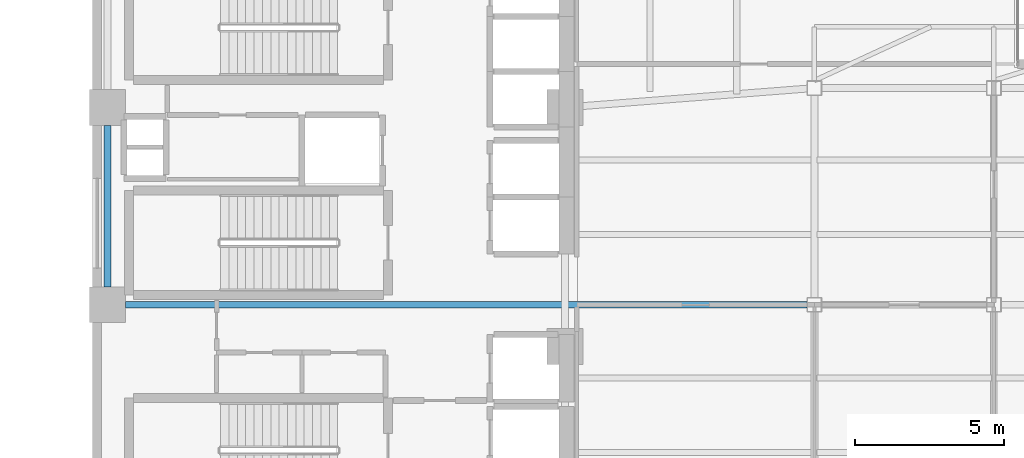
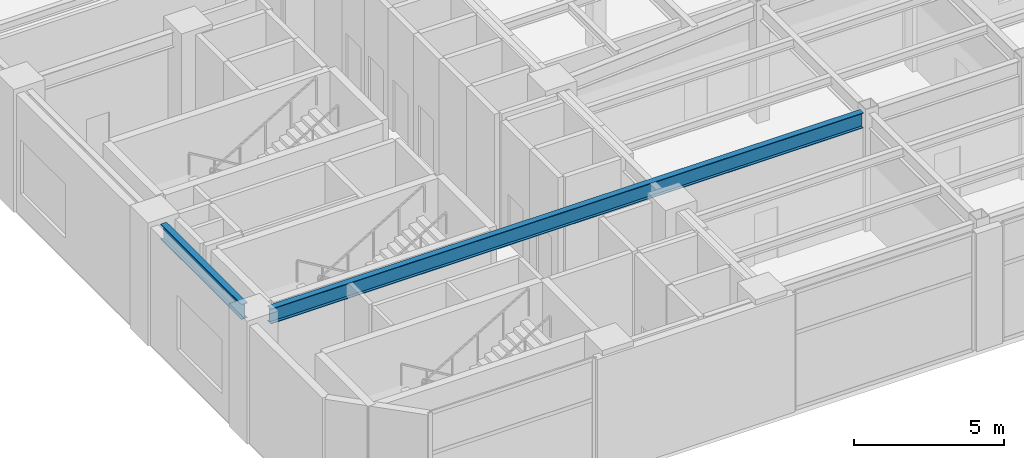
# One storey, part 3 of 23: 2 beams.
"""IFC4 building model written with IfcOpenShell, lengths in metres."""

from ifc_helpers import new_model, si_unit, direction, frame, origin, origin_2d, place, context, subcontext, project, spatial, i_section, extrude, material, material_profile, profile_set, type_object, element, save


model = new_model("IFC4")

# Units and contexts
model_context = context("Model", 3, precision=1e-05, world=origin(), true_north=direction((0.0, 1.0)))
body_context = subcontext(model_context, "Body", "Model", "MODEL_VIEW")
ifc_project = project(units=[si_unit("LENGTHUNIT", "METRE"), si_unit("AREAUNIT", "SQUARE_METRE"), si_unit("VOLUMEUNIT", "CUBIC_METRE"), si_unit("PLANEANGLEUNIT", "RADIAN"), si_unit("MASSUNIT", "GRAM", prefix="KILO")], contexts=[model_context])

# Site, building, storey
site_placement = place(None, origin())
site = spatial("IfcSite", under=ifc_project, at=site_placement, CompositionType="ELEMENT")
building_placement = place(site_placement, origin())
building = spatial("IfcBuilding", under=site, at=building_placement, Name="Mawjaban Terraces University", CompositionType="ELEMENT")
storey_placement = place(building_placement, frame((0.0, 0.0, 98.39990234375)))
storey = spatial("IfcBuildingStorey", under=building, at=storey_placement, Name="L23", CompositionType="ELEMENT", Elevation=98.39990234375)

# Beams
ifc_material = material(Name="Steel ASTM A572 Grade 50", Category="steel")
ifc_material_profile = material_profile(ifc_material, i_section(OverallWidth=0.22998046875, OverallDepth=0.616943359375, WebThickness=0.01318359375, FlangeThickness=0.022216796875, at=origin_2d()), Name="W610X140")
ifc_profile_set = profile_set([ifc_material_profile], Name="Steel ASTM A572 Grade 50")
beam_type = type_object("IfcBeamType", Name="Beam_B_W610X140", PredefinedType="BEAM", material=ifc_profile_set)
beam_1_placement = place(storey_placement, frame((22.949951171875, 7.949951171875, 4.482177734375), z_axis=(1.0, 0.0, 0.0), x_axis=(0.0, 1.0, 0.0)))
element("IfcBeam", 1, at=beam_1_placement, inside=storey, type_object=beam_type, Name="L23 Beam BM-L23-EW-05", PredefinedType="BEAM", context=body_context, shape_type="SweptSolid", body=[
    extrude(i_section(OverallWidth=0.22998046875, OverallDepth=0.616943359375, WebThickness=0.01318359375, FlangeThickness=0.022216796875, at=origin_2d()), origin(), (0.0, 0.0, 1.0), 22.800048828125),
])
beam_2_placement = place(storey_placement, frame((22.35009765625, 8.550048828125, 4.482177734375), z_axis=(0.0, 1.0, 0.0), x_axis=(-1.0, 0.0, 0.0)))
element("IfcBeam", 2, at=beam_2_placement, inside=storey, type_object=beam_type, Name="L23 Beam BM-L23-NS-01", PredefinedType="BEAM", context=body_context, shape_type="SweptSolid", body=[
    extrude(i_section(OverallWidth=0.22998046875, OverallDepth=0.616943359375, WebThickness=0.01318359375, FlangeThickness=0.022216796875, at=origin_2d()), origin(), (0.0, 0.0, 1.0), 5.39990234375),
])

save(model, "model.ifc")
